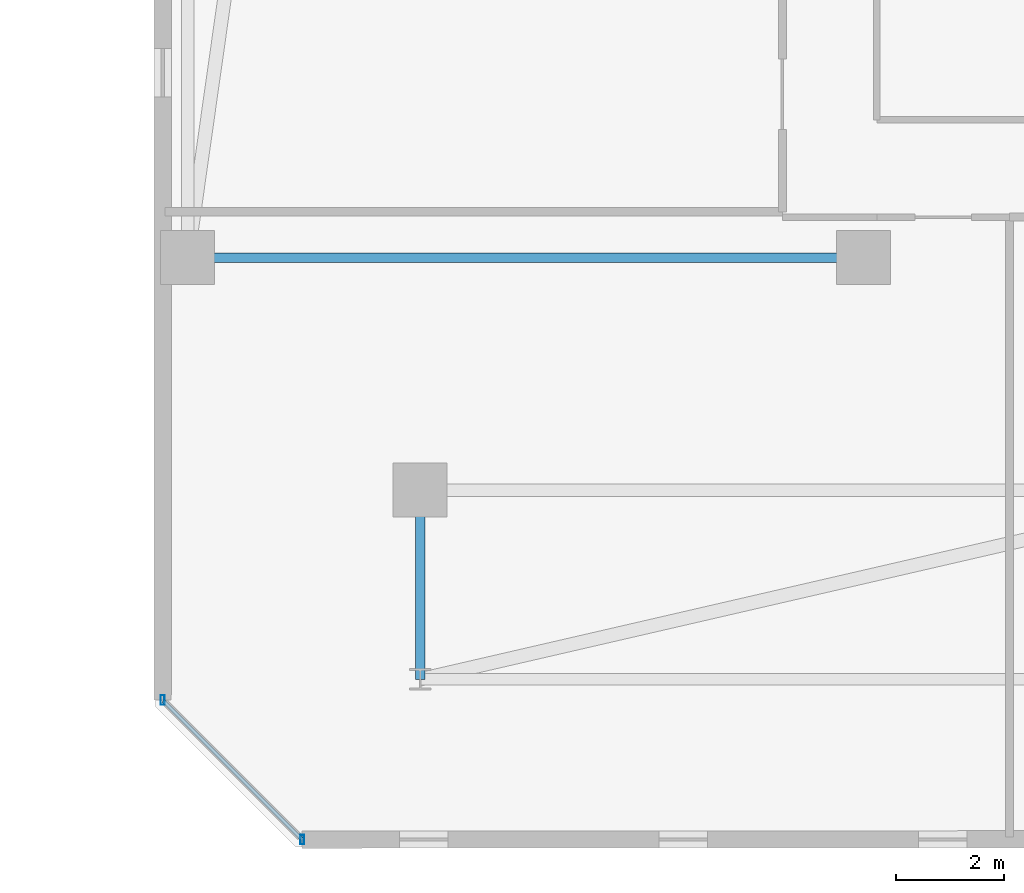
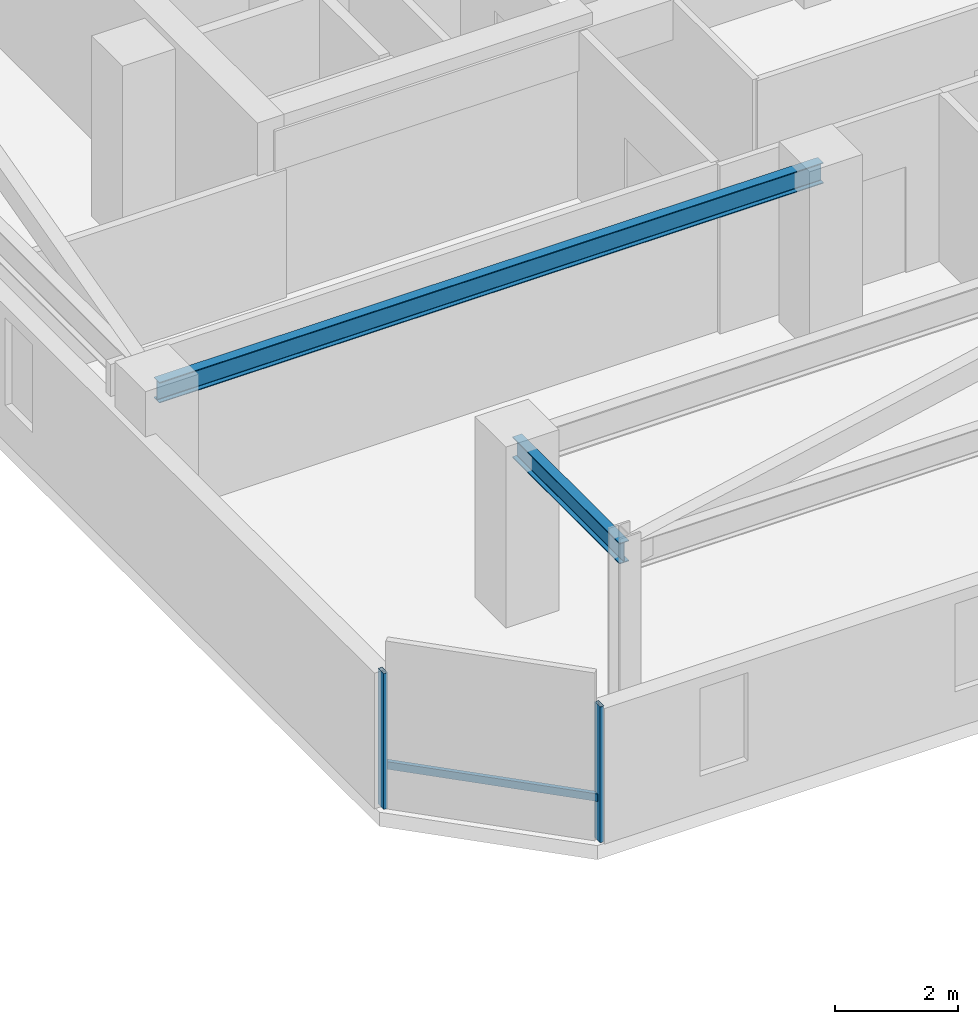
# One storey, part 10 of 31: 3 members, 2 beams, 1 element without a shape of its own.
"""IFC4 building model written with IfcOpenShell, lengths in metres."""

from ifc_helpers import new_model, si_unit, direction, frame, origin, origin_2d, place, context, subcontext, project, spatial, hollow_rectangle, i_section, extrude, material, material_profile, profile_set, type_object, element, aggregate, save


model = new_model("IFC4")

# Units and contexts
model_context = context("Model", 3, precision=1e-05, world=origin(), true_north=direction((0.0, 1.0)))
body_context = subcontext(model_context, "Body", "Model", "MODEL_VIEW")
ifc_project = project(units=[si_unit("LENGTHUNIT", "METRE"), si_unit("AREAUNIT", "SQUARE_METRE"), si_unit("VOLUMEUNIT", "CUBIC_METRE"), si_unit("PLANEANGLEUNIT", "RADIAN"), si_unit("MASSUNIT", "GRAM", prefix="KILO")], contexts=[model_context])

# Site, building, storey
site_placement = place(None, origin())
site = spatial("IfcSite", under=ifc_project, at=site_placement, CompositionType="ELEMENT")
building_placement = place(site_placement, origin())
building = spatial("IfcBuilding", under=site, at=building_placement, Name="Thornwick Lancets Civic Towers", CompositionType="ELEMENT")
storey_placement = place(building_placement, frame((0.0, 0.0, 233.10009765625)))
storey = spatial("IfcBuildingStorey", under=building, at=storey_placement, Name="L62", CompositionType="ELEMENT", Elevation=233.10009765625)

# Beams
ifc_material_1 = material(Name="Steel S355JR", Category="steel")
ifc_material_profile_1 = material_profile(ifc_material_1, i_section(OverallWidth=0.179443359375, OverallDepth=0.412841796875, WebThickness=0.009521484375, FlangeThickness=0.01611328125, FilletRadius=0.01025390625, at=origin_2d()), Name="UKB 406x178x74")
ifc_profile_set_1 = profile_set([ifc_material_profile_1], Name="Steel S355JR")
beam_type = type_object("IfcBeamType", Name="BM_JOIST_406_74", PredefinedType="JOIST", material=ifc_profile_set_1)
beam_1_placement = place(storey_placement, frame((83.699951171875, 14.0, 3.153564453125), z_axis=(-1.0, 0.0, 0.0), x_axis=(0.0, -1.0, 0.0)))
element("IfcBeam", 1, at=beam_1_placement, inside=storey, type_object=beam_type, Name="BM-RADIN-L62-B07", PredefinedType="JOIST", context=body_context, shape_type="SweptSolid", body=[
    extrude(i_section(OverallWidth=0.179443359375, OverallDepth=0.412841796875, WebThickness=0.009521484375, FlangeThickness=0.01611328125, FilletRadius=0.01025390625, at=origin_2d()), origin(), (0.0, 0.0, 1.0), 12.5),
])
beam_2_placement = place(storey_placement, frame((75.5, 9.699951171875, 3.153564453125), z_axis=(0.0, -1.0, 0.0), x_axis=(1.0, 0.0, 0.0)))
element("IfcBeam", 2, at=beam_2_placement, inside=storey, type_object=beam_type, Name="BM-RAD-L62-B12", PredefinedType="JOIST", context=body_context, shape_type="SweptSolid", body=[
    extrude(i_section(OverallWidth=0.179443359375, OverallDepth=0.412841796875, WebThickness=0.009521484375, FlangeThickness=0.01611328125, FilletRadius=0.01025390625, at=origin_2d()), origin(), (0.0, 0.0, 1.0), 3.5),
])

# Curtain wall, members
ifc_material_2 = material(Name="High-zone chamfered-corner unitised glass curtain wall", Category="glass")
curtain_wall_type = type_object("IfcCurtainWallType", Name="CW_SYS_05", PredefinedType="NOTDEFINED", material=ifc_material_2)
curtain_wall_placement = place(storey_placement, origin())
curtain_wall = element("IfcCurtainWall", 3, at=curtain_wall_placement, inside=storey, type_object=curtain_wall_type, Name="L62 Curtain Wall CW-L62-B-E7", PredefinedType="NOTDEFINED")
ifc_material_3 = material(Name="Thermally broken bronze aluminium S355", Category="steel")
ifc_material_profile_2 = material_profile(ifc_material_3, hollow_rectangle(XDim=0.074951171875, YDim=0.179931640625, WallThickness=0.006103515625, at=origin_2d()), Name="RHS 180x75x6")
ifc_profile_set_2 = profile_set([ifc_material_profile_2], Name="Thermally broken bronze aluminium S355")
member_type_1 = type_object("IfcMemberType", Name="CW_MUL_180", PredefinedType="MULLION", material=ifc_profile_set_2)
member_1_placement = place(storey_placement, frame((70.7353515625, 5.818603515625, 0.0), z_axis=(0.0, 0.0, 1.0), x_axis=(1.0, 0.0, 0.0)))
member_1 = element("IfcMember", 4, at=member_1_placement, type_object=member_type_1, Name="CW-L62-B-E7 Mullion 0", PredefinedType="MULLION", context=body_context, shape_type="SweptSolid", body=[
    extrude(hollow_rectangle(XDim=0.074951171875, YDim=0.179931640625, WallThickness=0.006103515625, at=origin_2d()), origin(), (0.0, 0.0, 1.0), 2.699951171875),
])
member_2_placement = place(storey_placement, frame((73.318603515625, 3.2353515625, 0.0), z_axis=(0.0, 0.0, 1.0), x_axis=(1.0, 0.0, 0.0)))
member_2 = element("IfcMember", 5, at=member_2_placement, type_object=member_type_1, Name="CW-L62-B-E7 Mullion 1", PredefinedType="MULLION", context=body_context, shape_type="SweptSolid", body=[
    extrude(hollow_rectangle(XDim=0.074951171875, YDim=0.179931640625, WallThickness=0.006103515625, at=origin_2d()), origin(), (0.0, 0.0, 1.0), 2.699951171875),
])
ifc_material_profile_3 = material_profile(ifc_material_3, hollow_rectangle(XDim=0.074951171875, YDim=0.14990234375, WallThickness=0.0048828125, at=origin_2d()), Name="RHS 150x75x5")
ifc_profile_set_3 = profile_set([ifc_material_profile_3], Name="Thermally broken bronze aluminium S355")
member_type_2 = type_object("IfcMemberType", Name="CW_TRN_150", PredefinedType="USERDEFINED", material=ifc_profile_set_3)
member_3_placement = place(storey_placement, frame((70.74951171875, 5.804443359375, 0.849853515625), z_axis=(0.707106781187, -0.707106781187, 0.0), x_axis=(0.707106781187, 0.707106781187, 0.0)))
member_3 = element("IfcMember", 6, at=member_3_placement, type_object=member_type_2, Name="CW-L62-B-E7 Transom 0", ObjectType="TRANSOM", PredefinedType="USERDEFINED", context=body_context, shape_type="SweptSolid", body=[
    extrude(hollow_rectangle(XDim=0.074951171875, YDim=0.14990234375, WallThickness=0.0048828125, at=origin_2d()), origin(), (0.0, 0.0, 1.0), 3.61328125),
])
aggregate(curtain_wall, [member_1, member_2, member_3])

save(model, "model.ifc")
